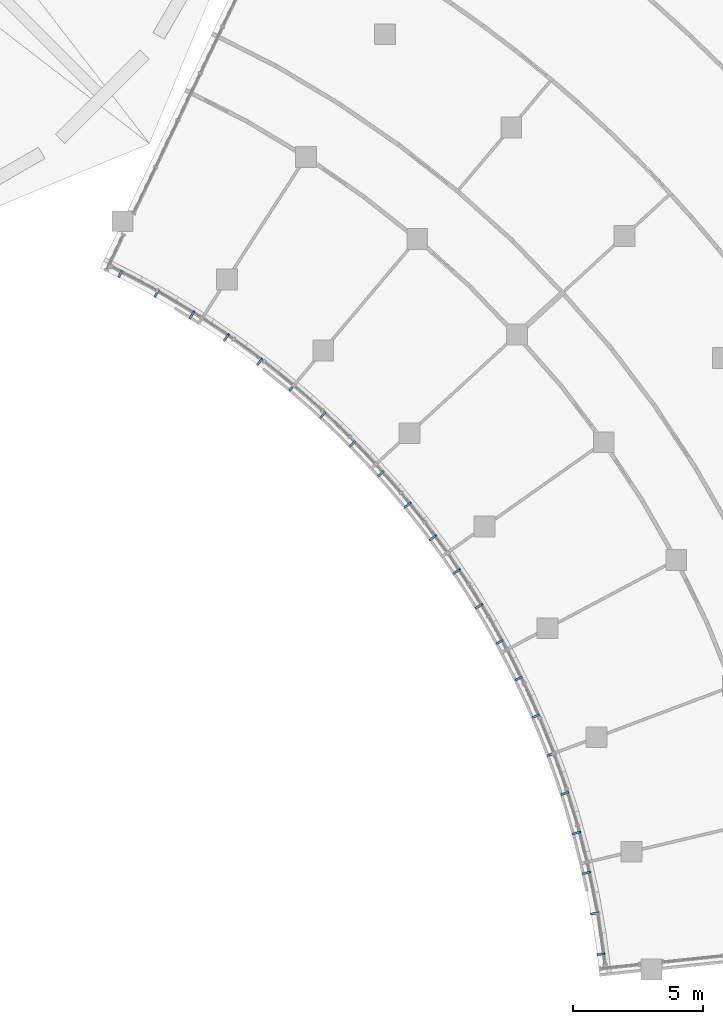
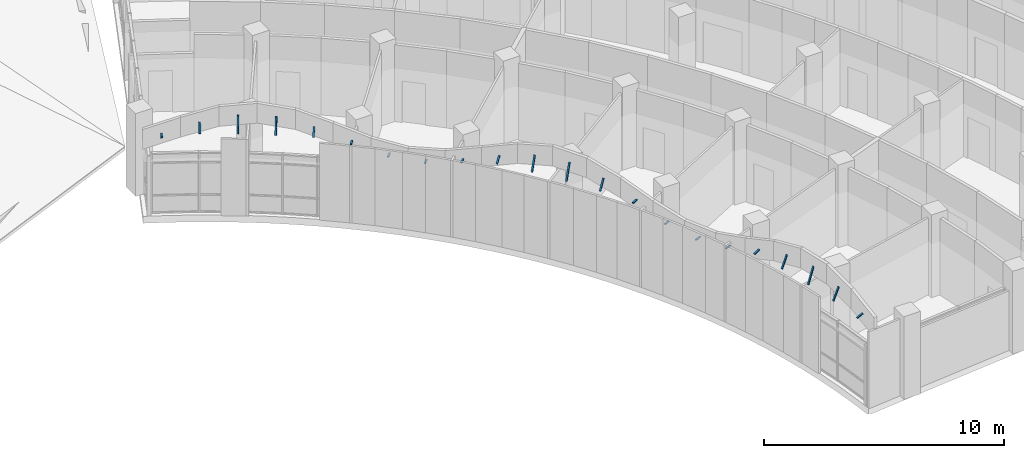
# One storey, part 94 of 137: 22 discrete accessories.
"""IFC4 building model written with IfcOpenShell, lengths in metres."""

from ifc_helpers import new_model, si_unit, direction, frame, origin, origin_2d, place, context, subcontext, project, spatial, rectangle, extrude, material, material_profile, profile_set, type_object, element, save


model = new_model("IFC4")

# Units and contexts
model_context = context("Model", 3, precision=1e-05, world=origin(), true_north=direction((0.0, 1.0)))
body_context = subcontext(model_context, "Body", "Model", "MODEL_VIEW")
ifc_project = project(units=[si_unit("LENGTHUNIT", "METRE"), si_unit("AREAUNIT", "SQUARE_METRE"), si_unit("VOLUMEUNIT", "CUBIC_METRE"), si_unit("PLANEANGLEUNIT", "RADIAN"), si_unit("MASSUNIT", "GRAM", prefix="KILO")], contexts=[model_context])

# Site, building, storey
site_placement = place(None, origin())
site = spatial("IfcSite", under=ifc_project, at=site_placement, CompositionType="ELEMENT")
building_placement = place(site_placement, origin())
building = spatial("IfcBuilding", under=site, at=building_placement, Name="Bougainvillea Quay General Hospital", CompositionType="ELEMENT")
storey_placement = place(building_placement, frame((0.0, 0.0, 16.800048828125)))
storey = spatial("IfcBuildingStorey", under=building, at=storey_placement, Name="L03", CompositionType="ELEMENT", Elevation=16.800048828125)

# Discrete accessories
ifc_material = material(Name="Stainless steel bracket, grade 316", Category="steel")
ifc_material_profile = material_profile(ifc_material, rectangle(XDim=0.080078125, YDim=0.050048828125, at=origin_2d()))
ifc_profile_set = profile_set([ifc_material_profile], Name="Stainless steel bracket, grade 316")
discrete_accessory_type = type_object("IfcDiscreteAccessoryType", Name="Stainless steel stand-off bracket 80x50", PredefinedType="BRACKET", material=ifc_profile_set)
discrete_accessory_1_placement = place(storey_placement, frame((124.541015625, 52.33203125, 3.976318359375), z_axis=(0.451117928368, 0.892464349263, 0.0), x_axis=(-0.892464349263, 0.451117928368, 0.0)))
element("IfcDiscreteAccessory", 1, at=discrete_accessory_1_placement, inside=storey, type_object=discrete_accessory_type, Name="Fascia bracket a12 1", PredefinedType="BRACKET", context=body_context, shape_type="SweptSolid", body=[
    extrude(rectangle(XDim=0.080078125, YDim=0.050048828125, at=origin_2d()), origin(), (0.0, 0.0, 1.0), 0.2998046875),
])
discrete_accessory_2_placement = place(storey_placement, frame((125.931640625, 51.587646484375, 4.139892578125), z_axis=(0.303020810051, 0.535420241231, 0.788354966976), x_axis=(-0.870289777735, 0.492540051945, 0.0)))
element("IfcDiscreteAccessory", 2, at=discrete_accessory_2_placement, inside=storey, type_object=discrete_accessory_type, Name="Fascia bracket a12 2", PredefinedType="BRACKET", context=body_context, shape_type="SweptSolid", body=[
    extrude(rectangle(XDim=0.080078125, YDim=0.050048828125, at=origin_2d()), origin(), (0.0, 0.0, 1.0), 0.487548828125),
])
discrete_accessory_3_placement = place(storey_placement, frame((127.286376953125, 50.779541015625, 4.139892578125), z_axis=(0.19640134683, 0.312320184562, 0.929452856942), x_axis=(-0.846531749872, 0.532338235015, 0.0)))
element("IfcDiscreteAccessory", 3, at=discrete_accessory_3_placement, inside=storey, type_object=discrete_accessory_type, Name="Fascia bracket a12 3", PredefinedType="BRACKET", context=body_context, shape_type="SweptSolid", body=[
    extrude(rectangle(XDim=0.080078125, YDim=0.050048828125, at=origin_2d()), origin(), (0.0, 0.0, 1.0), 0.81298828125),
])
discrete_accessory_4_placement = place(storey_placement, frame((128.60205078125, 49.909423828125, 4.139892578125), z_axis=(0.213189279069, 0.306858748332, 0.927571043027), x_axis=(-0.821253430982, 0.570563582873, 0.0)))
element("IfcDiscreteAccessory", 4, at=discrete_accessory_4_placement, inside=storey, type_object=discrete_accessory_type, Name="Fascia bracket a12 4", PredefinedType="BRACKET", context=body_context, shape_type="SweptSolid", body=[
    extrude(rectangle(XDim=0.080078125, YDim=0.050048828125, at=origin_2d()), origin(), (0.0, 0.0, 1.0), 0.802734375),
])
discrete_accessory_5_placement = place(storey_placement, frame((129.8759765625, 48.979248046875, 4.139892578125), z_axis=(0.390737675255, 0.509998973726, 0.766306150265), x_axis=(-0.793802879778, 0.60817512943, 0.0)))
element("IfcDiscreteAccessory", 5, at=discrete_accessory_5_placement, inside=storey, type_object=discrete_accessory_type, Name="Fascia bracket a12 5", PredefinedType="BRACKET", context=body_context, shape_type="SweptSolid", body=[
    extrude(rectangle(XDim=0.080078125, YDim=0.050048828125, at=origin_2d()), origin(), (0.0, 0.0, 1.0), 0.466796875),
])
discrete_accessory_6_placement = place(storey_placement, frame((131.10546875, 47.990966796875, 3.947021484375), z_axis=(0.644737187245, 0.764404316696, 0.0), x_axis=(-0.764404316696, 0.644737187245, 0.0)))
element("IfcDiscreteAccessory", 6, at=discrete_accessory_6_placement, inside=storey, type_object=discrete_accessory_type, Name="Fascia bracket a12 6", PredefinedType="BRACKET", context=body_context, shape_type="SweptSolid", body=[
    extrude(rectangle(XDim=0.080078125, YDim=0.050048828125, at=origin_2d()), origin(), (0.0, 0.0, 1.0), 0.2998046875),
])
discrete_accessory_7_placement = place(storey_placement, frame((132.28759765625, 46.946533203125, 3.53564453125), z_axis=(0.679326911175, 0.733835777101, 0.0), x_axis=(-0.733835777101, 0.679326911175, 0.0)))
element("IfcDiscreteAccessory", 7, at=discrete_accessory_7_placement, inside=storey, type_object=discrete_accessory_type, Name="Fascia bracket a12 7", PredefinedType="BRACKET", context=body_context, shape_type="SweptSolid", body=[
    extrude(rectangle(XDim=0.080078125, YDim=0.050048828125, at=origin_2d()), origin(), (0.0, 0.0, 1.0), 0.300048828125),
])
discrete_accessory_8_placement = place(storey_placement, frame((133.420166015625, 45.8486328125, 3.489013671875), z_axis=(0.712378936326, 0.7017950207, 0.0), x_axis=(-0.7017950207, 0.712378936326, 0.0)))
element("IfcDiscreteAccessory", 8, at=discrete_accessory_8_placement, inside=storey, type_object=discrete_accessory_type, Name="Fascia bracket a12 8", PredefinedType="BRACKET", context=body_context, shape_type="SweptSolid", body=[
    extrude(rectangle(XDim=0.080078125, YDim=0.050048828125, at=origin_2d()), origin(), (0.0, 0.0, 1.0), 0.2998046875),
])
discrete_accessory_9_placement = place(storey_placement, frame((134.50048828125, 44.69921875, 3.833251953125), z_axis=(0.744304488763, 0.667840421065, 0.0), x_axis=(-0.667840421065, 0.744304488763, 0.0)))
element("IfcDiscreteAccessory", 9, at=discrete_accessory_9_placement, inside=storey, type_object=discrete_accessory_type, Name="Fascia bracket a12 9", PredefinedType="BRACKET", context=body_context, shape_type="SweptSolid", body=[
    extrude(rectangle(XDim=0.080078125, YDim=0.050048828125, at=origin_2d()), origin(), (0.0, 0.0, 1.0), 0.300048828125),
])
discrete_accessory_10_placement = place(storey_placement, frame((135.5263671875, 43.5009765625, 4.139892578125), z_axis=(0.605979644319, 0.495222860589, 0.622529508555), x_axis=(-0.632794767271, 0.774319560979, 0.0)))
element("IfcDiscreteAccessory", 10, at=discrete_accessory_10_placement, inside=storey, type_object=discrete_accessory_type, Name="Fascia bracket a12 10", PredefinedType="BRACKET", context=body_context, shape_type="SweptSolid", body=[
    extrude(rectangle(XDim=0.080078125, YDim=0.050048828125, at=origin_2d()), origin(), (0.0, 0.0, 1.0), 0.383544921875),
])
discrete_accessory_11_placement = place(storey_placement, frame((136.49560546875, 42.256591796875, 4.139892578125), z_axis=(0.321431237306, 0.238628464207, 0.916372421974), x_axis=(-0.596084090117, 0.802922012097, 0.0)))
element("IfcDiscreteAccessory", 11, at=discrete_accessory_11_placement, inside=storey, type_object=discrete_accessory_type, Name="Fascia bracket a12 11", PredefinedType="BRACKET", context=body_context, shape_type="SweptSolid", body=[
    extrude(rectangle(XDim=0.080078125, YDim=0.050048828125, at=origin_2d()), origin(), (0.0, 0.0, 1.0), 0.7490234375),
])
discrete_accessory_12_placement = place(storey_placement, frame((137.406005859375, 40.968505859375, 4.139892578125), z_axis=(0.294573366838, 0.198020369268, 0.934887407609), x_axis=(-0.557891216139, 0.82991408649, 0.0)))
element("IfcDiscreteAccessory", 12, at=discrete_accessory_12_placement, inside=storey, type_object=discrete_accessory_type, Name="Fascia bracket a12 12", PredefinedType="BRACKET", context=body_context, shape_type="SweptSolid", body=[
    extrude(rectangle(XDim=0.080078125, YDim=0.050048828125, at=origin_2d()), origin(), (0.0, 0.0, 1.0), 0.844482421875),
])
discrete_accessory_13_placement = place(storey_placement, frame((138.255615234375, 39.639404296875, 4.139892578125), z_axis=(0.44474759517, 0.270237110208, 0.853915382726), x_axis=(-0.51927544977, 0.85460693144, 0.0)))
element("IfcDiscreteAccessory", 13, at=discrete_accessory_13_placement, inside=storey, type_object=discrete_accessory_type, Name="Fascia bracket a12 13", PredefinedType="BRACKET", context=body_context, shape_type="SweptSolid", body=[
    extrude(rectangle(XDim=0.080078125, YDim=0.050048828125, at=origin_2d()), origin(), (0.0, 0.0, 1.0), 0.576416015625),
])
discrete_accessory_14_placement = place(storey_placement, frame((139.042724609375, 38.2724609375, 4.09716796875), z_axis=(0.877895572914, 0.478852130681, 0.0), x_axis=(-0.478852130681, 0.877895572914, 0.0)))
element("IfcDiscreteAccessory", 14, at=discrete_accessory_14_placement, inside=storey, type_object=discrete_accessory_type, Name="Fascia bracket a12 14", PredefinedType="BRACKET", context=body_context, shape_type="SweptSolid", body=[
    extrude(rectangle(XDim=0.080078125, YDim=0.050048828125, at=origin_2d()), origin(), (0.0, 0.0, 1.0), 0.2998046875),
])
for number, where, z_axis, x_axis, name in (
    (15, (139.765380859375, 36.870361328125, 3.618896484375), (0.899096629862, 0.437750214358, 0.0), (-0.437750214358, 0.899096629862, 0.0), "Fascia bracket a12 15"),
    (16, (140.42236328125, 35.436279296875, 3.459716796875), (0.918512637313, 0.39539162244, 0.0), (-0.39539162244, 0.918512637313, 0.0), "Fascia bracket a12 16"),
    (17, (141.01220703125, 33.973388671875, 3.707275390625), (0.935860136355, 0.352371686123, 0.0), (-0.352371686123, 0.935860136355, 0.0), "Fascia bracket a12 17"),
):
    element("IfcDiscreteAccessory", number, at=place(storey_placement, frame(where, z_axis=z_axis, x_axis=x_axis)), inside=storey, type_object=discrete_accessory_type, Name=name, PredefinedType="BRACKET", context=body_context, shape_type="SweptSolid", body=[
        extrude(rectangle(XDim=0.080078125, YDim=0.050048828125, at=origin_2d()), origin(), (0.0, 0.0, 1.0), 0.300048828125),
    ])
discrete_accessory_15_placement = place(storey_placement, frame((141.533447265625, 32.484619140625, 4.139892578125), z_axis=(0.914677164351, 0.296546317613, 0.274637882538), x_axis=(-0.308405198137, 0.951255083436, 0.0)))
element("IfcDiscreteAccessory", 18, at=discrete_accessory_15_placement, inside=storey, type_object=discrete_accessory_type, Name="Fascia bracket a12 18", PredefinedType="BRACKET", context=body_context, shape_type="SweptSolid", body=[
    extrude(rectangle(XDim=0.080078125, YDim=0.050048828125, at=origin_2d()), origin(), (0.0, 0.0, 1.0), 0.31201171875),
])
discrete_accessory_16_placement = place(storey_placement, frame((141.98486328125, 30.97314453125, 4.139892578125), z_axis=(0.437484207953, 0.119883952432, 0.891198858696), x_axis=(-0.264286955841, 0.96444409116, 0.0)))
element("IfcDiscreteAccessory", 19, at=discrete_accessory_16_placement, inside=storey, type_object=discrete_accessory_type, Name="Fascia bracket a12 19", PredefinedType="BRACKET", context=body_context, shape_type="SweptSolid", body=[
    extrude(rectangle(XDim=0.080078125, YDim=0.050048828125, at=origin_2d()), origin(), (0.0, 0.0, 1.0), 0.661865234375),
])
discrete_accessory_17_placement = place(storey_placement, frame((142.365966796875, 29.442626953125, 4.139892578125), z_axis=(0.341493134544, 0.07661522368, 0.936756396594), x_axis=(-0.218911849947, 0.975744639725, 0.0)))
element("IfcDiscreteAccessory", 20, at=discrete_accessory_17_placement, inside=storey, type_object=discrete_accessory_type, Name="Fascia bracket a12 20", PredefinedType="BRACKET", context=body_context, shape_type="SweptSolid", body=[
    extrude(rectangle(XDim=0.080078125, YDim=0.050048828125, at=origin_2d()), origin(), (0.0, 0.0, 1.0), 0.857177734375),
])
discrete_accessory_18_placement = place(storey_placement, frame((142.675537109375, 27.895751953125, 4.139892578125), z_axis=(0.435783036287, 0.076712220437, 0.896776661449), x_axis=(-0.173367427214, 0.984857215631, 0.0)))
element("IfcDiscreteAccessory", 21, at=discrete_accessory_18_placement, inside=storey, type_object=discrete_accessory_type, Name="Fascia bracket a12 21", PredefinedType="BRACKET", context=body_context, shape_type="SweptSolid", body=[
    extrude(rectangle(XDim=0.080078125, YDim=0.050048828125, at=origin_2d()), origin(), (0.0, 0.0, 1.0), 0.677978515625),
])
discrete_accessory_19_placement = place(storey_placement, frame((142.9130859375, 26.33642578125, 4.139892578125), z_axis=(0.927637473478, 0.119474227511, 0.353856788488), x_axis=(-0.127738989048, 0.991807819427, 0.0)))
element("IfcDiscreteAccessory", 22, at=discrete_accessory_19_placement, inside=storey, type_object=discrete_accessory_type, Name="Fascia bracket a12 22", PredefinedType="BRACKET", context=body_context, shape_type="SweptSolid", body=[
    extrude(rectangle(XDim=0.080078125, YDim=0.050048828125, at=origin_2d()), origin(), (0.0, 0.0, 1.0), 0.32080078125),
])

save(model, "model.ifc")
